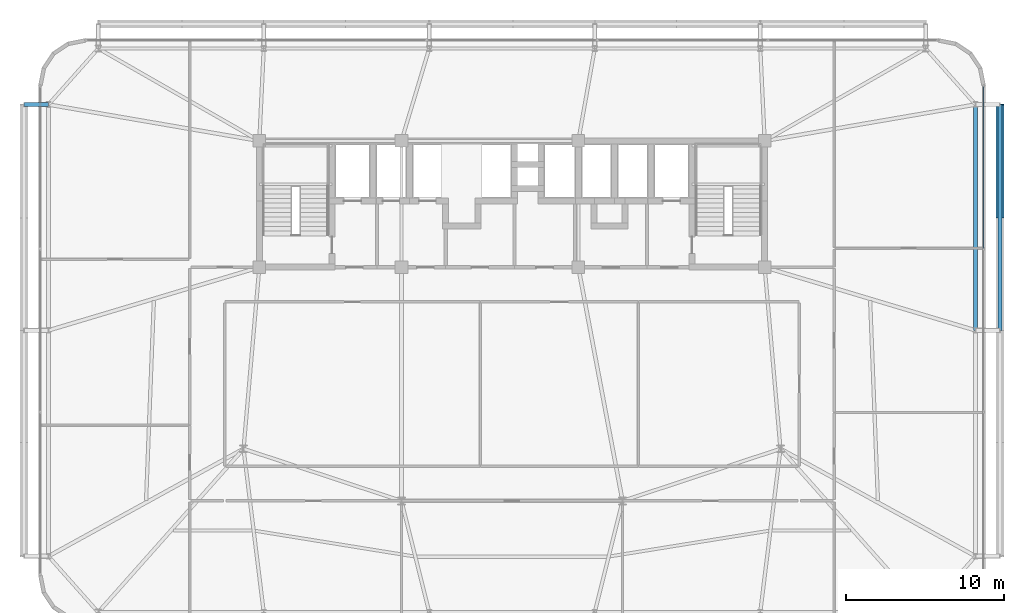
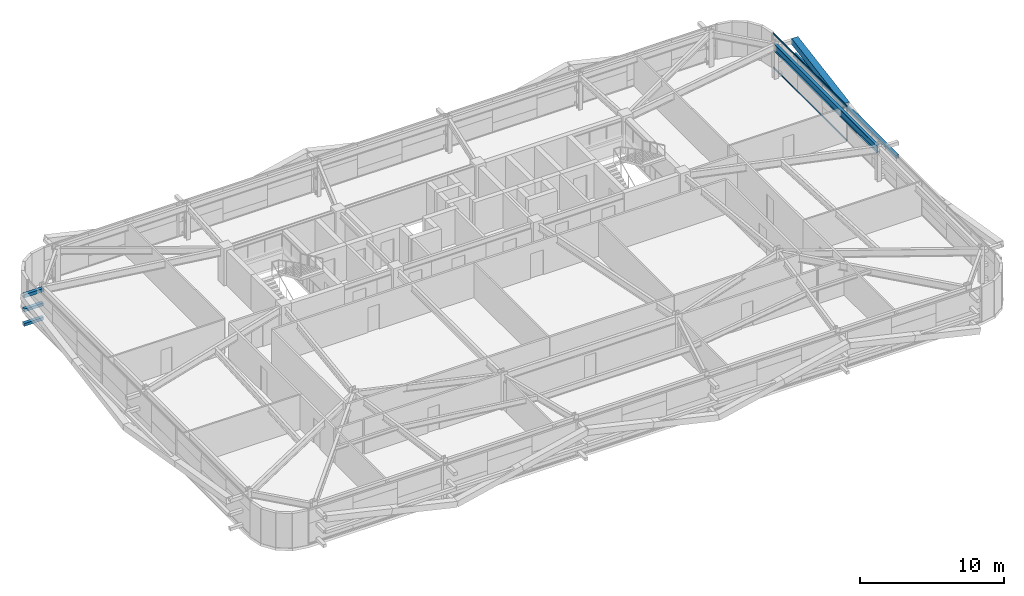
# One storey, part 20 of 44: 7 members, 1 beam, 1 element without a shape of its own.
"""IFC4 building model written with IfcOpenShell, lengths in metres."""

from ifc_helpers import new_model, si_unit, direction, frame, origin, origin_2d, place, context, subcontext, project, spatial, hollow_rectangle, i_section, extrude, source, transform, mapped, material, layer, layer_set, material_profile, profile_set, type_object, element, aggregate, save


model = new_model("IFC4")

# Units and contexts
model_context = context("Model", 3, precision=1e-05, world=origin(), true_north=direction((0.0, 1.0)))
body_context = subcontext(model_context, "Body", "Model", "MODEL_VIEW")
ifc_project = project(units=[si_unit("LENGTHUNIT", "METRE"), si_unit("AREAUNIT", "SQUARE_METRE"), si_unit("VOLUMEUNIT", "CUBIC_METRE"), si_unit("PLANEANGLEUNIT", "RADIAN"), si_unit("MASSUNIT", "GRAM", prefix="KILO")], contexts=[model_context])

# Site, building, storey
site_placement = place(None, origin())
site = spatial("IfcSite", under=ifc_project, at=site_placement, CompositionType="ELEMENT")
building_placement = place(site_placement, origin())
building = spatial("IfcBuilding", under=site, at=building_placement, Name="Taldren Reach Tower", CompositionType="ELEMENT")
storey_placement = place(building_placement, frame((0.0, 0.0, 38.85009765625)))
storey = spatial("IfcBuildingStorey", under=building, at=storey_placement, Name="L11", CompositionType="ELEMENT", Elevation=38.85009765625)

# Beam
ifc_material_1 = material(Name="Steel Gr 350 (350PLUS)", Category="steel")
ifc_material_profile_1 = material_profile(ifc_material_1, i_section(OverallWidth=0.22802734375, OverallDepth=0.60205078125, WebThickness=0.010498046875, FlangeThickness=0.014892578125, at=origin_2d()), Name="610UB101")
ifc_profile_set_1 = profile_set([ifc_material_profile_1], Name="Steel Gr 350 (350PLUS)")
beam_type = type_object("IfcBeamType", Name="BM-UB610B", PredefinedType="BEAM", material=ifc_profile_set_1)
shared_shape_1 = source(origin(), body_context, "Body", "SweptSolid", [
    extrude(i_section(OverallWidth=0.22802734375, OverallDepth=0.60205078125, WebThickness=0.010498046875, FlangeThickness=0.014892578125, at=origin_2d()), origin(), (0.0, 0.0, 1.0), 14.300048828125),
])
beam_placement = place(storey_placement, frame((64.35009765625, 20.0, 2.62890625), z_axis=(0.0, 1.0, 0.0), x_axis=(-1.0, 0.0, 0.0)))
element("IfcBeam", 1, at=beam_placement, inside=storey, type_object=beam_type, Name="Perimeter gable girder B1 E2-E3 L11", PredefinedType="BEAM", context=body_context, shape_type="MappedRepresentation", body=[
    mapped(shared_shape_1, transform((0.0, 0.0, 0.0), scale=1.0)),
])

# Members
ifc_material_2 = material(Name="Steel Gr 450 (C450L0)", Category="steel")
ifc_material_profile_2 = material_profile(ifc_material_2, hollow_rectangle(XDim=0.27490234375, YDim=0.27490234375, WallThickness=0.00927734375, at=origin_2d()), Name="275x275x9.3SHS")
ifc_profile_set_2 = profile_set([ifc_material_profile_2], Name="Steel Gr 450 (C450L0)")
member_type_1 = type_object("IfcMemberType", Name="MB-TIE273", PredefinedType="STRUT", material=ifc_profile_set_2)
shared_shape_2 = source(origin(), body_context, "Body", "SweptSolid", [
    extrude(hollow_rectangle(XDim=0.27490234375, YDim=0.27490234375, WallThickness=0.00927734375, at=origin_2d()), origin(), (0.0, 0.0, 1.0), 1.5498046875),
])
member_1_placement = place(storey_placement, frame((5.64990234375, 34.300048828125, 2.64990234375), z_axis=(-1.0, 0.0, 0.0), x_axis=(0.0, -1.0, 0.0)))
element("IfcMember", 2, at=member_1_placement, inside=storey, type_object=member_type_1, Name="Exoskeleton diaphragm tie strut B1-W3 L11", PredefinedType="STRUT", context=body_context, shape_type="MappedRepresentation", body=[
    mapped(shared_shape_2, transform((0.0, 0.0, 0.0), scale=1.0)),
])
ifc_material_3 = material(Name="Steel Gr 350 (C350L0)", Category="steel")
ifc_material_profile_3 = material_profile(ifc_material_3, hollow_rectangle(XDim=0.25, YDim=0.25, WallThickness=0.010009765625, at=origin_2d()), Name="250x250x10.0SHS")
ifc_profile_set_3 = profile_set([ifc_material_profile_3], Name="Steel Gr 350 (C350L0)")
member_type_2 = type_object("IfcMemberType", Name="MB-POST250", PredefinedType="POST", material=ifc_profile_set_3)
shared_shape_3 = source(origin(), body_context, "Body", "SweptSolid", [
    extrude(hollow_rectangle(XDim=0.25, YDim=0.25, WallThickness=0.010009765625, at=origin_2d()), origin(), (0.0, 0.0, 1.0), 1.5498046875),
])
for number, where, z_axis, x_axis, name in (
    (3, (5.64990234375, 34.300048828125, 0.219970703125), (-1.0, 0.0, 0.0), (0.0, -1.0, 0.0), "Exoskeleton base diaphragm tie strut B1-W3 L11"),
    (4, (5.64990234375, 34.300048828125, 1.434814453125), (-1.0, 0.0, 0.0), (0.0, -1.0, 0.0), "Exoskeleton mid-tier diaphragm tie B1-W3 L11"),
):
    element("IfcMember", number, at=place(storey_placement, frame(where, z_axis=z_axis, x_axis=x_axis)), inside=storey, type_object=member_type_2, Name=name, PredefinedType="POST", context=body_context, shape_type="MappedRepresentation", body=[
        mapped(shared_shape_3, transform((0.0, 0.0, 0.0), scale=1.0)),
    ])
ifc_material_profile_4 = material_profile(ifc_material_2, hollow_rectangle(XDim=0.510009765625, YDim=0.510009765625, WallThickness=0.02001953125, at=origin_2d()), Name="510x510x20.0SHS")
ifc_profile_set_4 = profile_set([ifc_material_profile_4], Name="Steel Gr 450 (C450L0)")
member_type_3 = type_object("IfcMemberType", Name="MB-EXO508", PredefinedType="BRACE", material=ifc_profile_set_4)
shared_shape_4 = source(origin(), body_context, "Body", "SweptSolid", [
    extrude(hollow_rectangle(XDim=0.510009765625, YDim=0.510009765625, WallThickness=0.02001953125, at=origin_2d()), origin(), (0.0, 0.0, 1.0), 7.252685546875),
])
member_2_placement = place(storey_placement, frame((65.89990234375, 27.14990234375, 1.434814453125), z_axis=(0.0, 0.985865800628, 0.167536930711), x_axis=(-1.0, 0.0, 0.0)))
element("IfcMember", 5, at=member_2_placement, inside=storey, type_object=member_type_3, Name="Exoskeleton Diagrid Brace B1-E2 L11", PredefinedType="BRACE", context=body_context, shape_type="MappedRepresentation", body=[
    mapped(shared_shape_4, transform((0.0, 0.0, 0.0), scale=1.0)),
])
shared_shape_5 = source(origin(), body_context, "Body", "SweptSolid", [
    extrude(hollow_rectangle(XDim=0.25, YDim=0.25, WallThickness=0.010009765625, at=origin_2d()), origin(), (0.0, 0.0, 1.0), 14.300048828125),
])
member_3_placement = place(storey_placement, frame((65.89990234375, 20.0, 1.434814453125), z_axis=(0.0, 1.0, 0.0), x_axis=(-1.0, 0.0, 0.0)))
element("IfcMember", 6, at=member_3_placement, inside=storey, type_object=member_type_2, Name="Exoskeleton mid-height ring chord B1-E2 L11", PredefinedType="POST", context=body_context, shape_type="MappedRepresentation", body=[
    mapped(shared_shape_5, transform((0.0, 0.0, 0.0), scale=1.0)),
])

# Curtain wall, members
ifc_material_4 = material(Name="Aluminium and Low-E Glass Unitised System", Category="aluminium")
ifc_layer = layer(ifc_material_4, 0.159912109375)
ifc_layer_set = layer_set([ifc_layer], Name="Aluminium and Low-E Glass Unitised System")
curtain_wall_type = type_object("IfcCurtainWallType", Name="CW-SYS-2", PredefinedType="NOTDEFINED", material=ifc_layer_set)
curtain_wall_placement = place(storey_placement, origin())
curtain_wall = element("IfcCurtainWall", 7, at=curtain_wall_placement, inside=storey, type_object=curtain_wall_type, Name="Unitised curtain wall CW-L11-E", PredefinedType="NOTDEFINED")
ifc_material_5 = material(Name="Anodised Aluminium 6063-T6", Category="aluminium")
ifc_material_profile_5 = material_profile(ifc_material_5, hollow_rectangle(XDim=0.054931640625, YDim=0.1201171875, WallThickness=0.0029296875, at=origin_2d()), Name="ALU-120x55x3RHS")
ifc_profile_set_5 = profile_set([ifc_material_profile_5], Name="Anodised Aluminium 6063-T6")
member_type_4 = type_object("IfcMemberType", Name="CW-TRN-135", PredefinedType="USERDEFINED", material=ifc_profile_set_5)
shared_shape_6 = source(origin(), body_context, "Body", "SweptSolid", [
    extrude(hollow_rectangle(XDim=0.054931640625, YDim=0.1201171875, WallThickness=0.0029296875, at=origin_2d()), origin(), (0.0, 0.0, 1.0), 10.23583984375),
])
member_4_placement = place(storey_placement, frame((64.860107421875, 25.19921875, 0.02734375), z_axis=(0.0, 1.0, 0.0), x_axis=(-1.0, 0.0, 0.0)))
member_4 = element("IfcMember", 8, at=member_4_placement, type_object=member_type_4, Name="CW-2 transom 3.1", ObjectType="TRANSOM", PredefinedType="USERDEFINED", context=body_context, shape_type="MappedRepresentation", body=[
    mapped(shared_shape_6, transform((0.0, 0.0, 0.0), scale=1.0)),
])
member_5_placement = place(storey_placement, frame((64.860107421875, 25.19921875, 2.90234375), z_axis=(0.0, 1.0, 0.0), x_axis=(-1.0, 0.0, 0.0)))
member_5 = element("IfcMember", 9, at=member_5_placement, type_object=member_type_4, Name="CW-2 transom 3.2", ObjectType="TRANSOM", PredefinedType="USERDEFINED", context=body_context, shape_type="MappedRepresentation", body=[
    mapped(shared_shape_6, transform((0.0, 0.0, 0.0), scale=1.0)),
])
aggregate(curtain_wall, [member_4, member_5])

save(model, "model.ifc")
